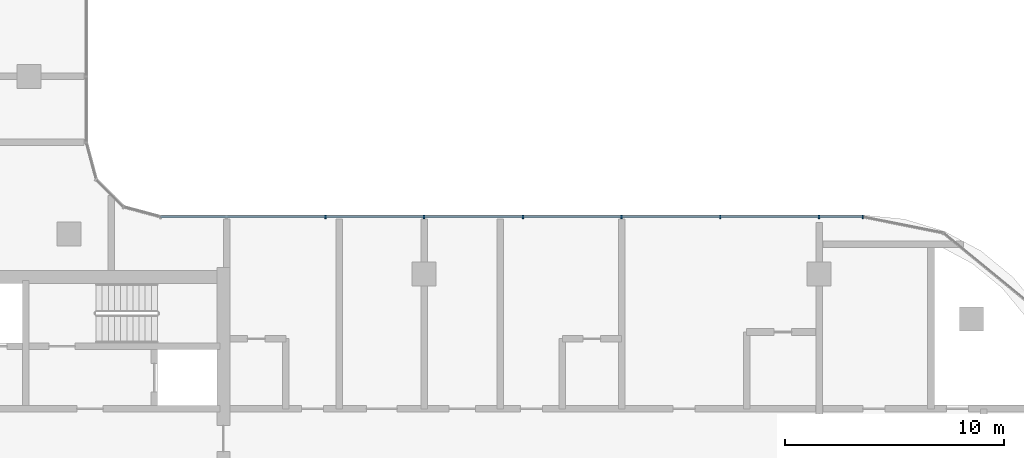
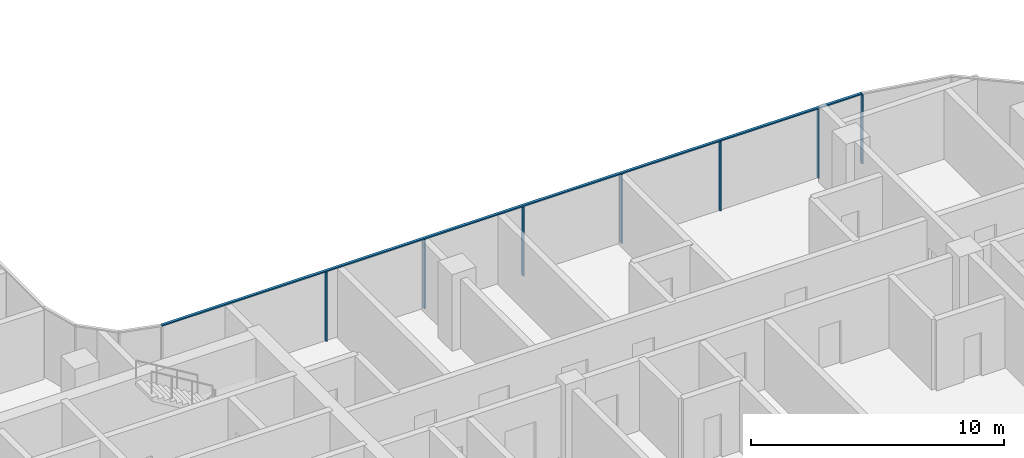
# One storey, part 4 of 23: 8 members, 1 element without a shape of its own.
"""IFC4 building model written with IfcOpenShell, lengths in metres."""

from ifc_helpers import new_model, si_unit, direction, frame, origin, origin_2d, place, context, subcontext, project, spatial, rectangle, extrude, material, material_profile, profile_set, type_object, element, aggregate, save


model = new_model("IFC4")

# Units and contexts
model_context = context("Model", 3, precision=1e-05, world=origin(), true_north=direction((0.0, 1.0)))
body_context = subcontext(model_context, "Body", "Model", "MODEL_VIEW")
ifc_project = project(units=[si_unit("LENGTHUNIT", "METRE"), si_unit("AREAUNIT", "SQUARE_METRE"), si_unit("VOLUMEUNIT", "CUBIC_METRE"), si_unit("PLANEANGLEUNIT", "RADIAN"), si_unit("MASSUNIT", "GRAM", prefix="KILO")], contexts=[model_context])

# Site, building, storey
site_placement = place(None, origin())
site = spatial("IfcSite", under=ifc_project, at=site_placement, CompositionType="ELEMENT")
building_placement = place(site_placement, origin())
building = spatial("IfcBuilding", under=site, at=building_placement, Name="Ogive Portal Towers", CompositionType="ELEMENT")
storey_placement = place(building_placement, frame((0.0, 0.0, 186.60009765625)))
storey = spatial("IfcBuildingStorey", under=building, at=storey_placement, Name="L46", CompositionType="ELEMENT", Elevation=186.60009765625)

# Curtain wall, members
ifc_material_1 = material(Name="Glass, clear low-iron insulated glazing", Category="glass")
curtain_wall_type = type_object("IfcCurtainWallType", Name="CW FRONT RIBBON 4500", PredefinedType="NOTDEFINED", material=ifc_material_1)
curtain_wall_placement = place(storey_placement, origin())
curtain_wall = element("IfcCurtainWall", 1, at=curtain_wall_placement, inside=storey, type_object=curtain_wall_type, Name="A:L46:f16:cw0", PredefinedType="NOTDEFINED")
ifc_material_2 = material(Name="Aluminium 6063 anodised", Category="aluminium")
ifc_material_profile_1 = material_profile(ifc_material_2, rectangle(XDim=0.159912109375, YDim=0.06005859375, at=origin_2d()), Name="AL 60x160")
ifc_profile_set_1 = profile_set([ifc_material_profile_1], Name="Aluminium 6063 anodised")
member_type_1 = type_object("IfcMemberType", Name="CW MULLION 60x160", PredefinedType="MULLION", material=ifc_profile_set_1)
member_1_placement = place(storey_placement, frame((87.4921875, 42.10009765625, 0.0), z_axis=(0.0, 0.0, 1.0), x_axis=(0.0, -1.0, 0.0)))
member_1 = element("IfcMember", 2, at=member_1_placement, type_object=member_type_1, Name="mullion", PredefinedType="MULLION", context=body_context, shape_type="SweptSolid", body=[
    extrude(rectangle(XDim=0.159912109375, YDim=0.06005859375, at=origin_2d()), origin(), (0.0, 0.0, 1.0), 3.33984375),
])
member_2_placement = place(storey_placement, frame((85.5, 42.10009765625, 0.0), z_axis=(0.0, 0.0, 1.0), x_axis=(0.0, -1.0, 0.0)))
member_2 = element("IfcMember", 3, at=member_2_placement, type_object=member_type_1, Name="mullion", PredefinedType="MULLION", context=body_context, shape_type="SweptSolid", body=[
    extrude(rectangle(XDim=0.159912109375, YDim=0.06005859375, at=origin_2d()), origin(), (0.0, 0.0, 1.0), 3.33984375),
])
member_3_placement = place(storey_placement, frame((81.0, 42.10009765625, 0.0), z_axis=(0.0, 0.0, 1.0), x_axis=(0.0, -1.0, 0.0)))
member_3 = element("IfcMember", 4, at=member_3_placement, type_object=member_type_1, Name="mullion", PredefinedType="MULLION", context=body_context, shape_type="SweptSolid", body=[
    extrude(rectangle(XDim=0.159912109375, YDim=0.06005859375, at=origin_2d()), origin(), (0.0, 0.0, 1.0), 3.33984375),
])
member_4_placement = place(storey_placement, frame((76.5, 42.10009765625, 0.0), z_axis=(0.0, 0.0, 1.0), x_axis=(0.0, -1.0, 0.0)))
member_4 = element("IfcMember", 5, at=member_4_placement, type_object=member_type_1, Name="mullion", PredefinedType="MULLION", context=body_context, shape_type="SweptSolid", body=[
    extrude(rectangle(XDim=0.159912109375, YDim=0.06005859375, at=origin_2d()), origin(), (0.0, 0.0, 1.0), 3.33984375),
])
member_5_placement = place(storey_placement, frame((72.0, 42.10009765625, 0.0), z_axis=(0.0, 0.0, 1.0), x_axis=(0.0, -1.0, 0.0)))
member_5 = element("IfcMember", 6, at=member_5_placement, type_object=member_type_1, Name="mullion", PredefinedType="MULLION", context=body_context, shape_type="SweptSolid", body=[
    extrude(rectangle(XDim=0.159912109375, YDim=0.06005859375, at=origin_2d()), origin(), (0.0, 0.0, 1.0), 3.33984375),
])
member_6_placement = place(storey_placement, frame((67.5, 42.10009765625, 0.0), z_axis=(0.0, 0.0, 1.0), x_axis=(0.0, -1.0, 0.0)))
member_6 = element("IfcMember", 7, at=member_6_placement, type_object=member_type_1, Name="mullion", PredefinedType="MULLION", context=body_context, shape_type="SweptSolid", body=[
    extrude(rectangle(XDim=0.159912109375, YDim=0.06005859375, at=origin_2d()), origin(), (0.0, 0.0, 1.0), 3.33984375),
])
member_7_placement = place(storey_placement, frame((63.0, 42.10009765625, 0.0), z_axis=(0.0, 0.0, 1.0), x_axis=(0.0, -1.0, 0.0)))
member_7 = element("IfcMember", 8, at=member_7_placement, type_object=member_type_1, Name="mullion", PredefinedType="MULLION", context=body_context, shape_type="SweptSolid", body=[
    extrude(rectangle(XDim=0.159912109375, YDim=0.06005859375, at=origin_2d()), origin(), (0.0, 0.0, 1.0), 3.33984375),
])
ifc_material_profile_2 = material_profile(ifc_material_2, rectangle(XDim=0.1201171875, YDim=0.06005859375, at=origin_2d()), Name="AL 120x60")
ifc_profile_set_2 = profile_set([ifc_material_profile_2], Name="Aluminium 6063 anodised")
member_type_2 = type_object("IfcMemberType", Name="CW TRANSOM 60x120", PredefinedType="USERDEFINED", material=ifc_profile_set_2)
member_8_placement = place(storey_placement, frame((87.4921875, 42.10009765625, 3.369873046875), z_axis=(-1.0, 0.0, 0.0), x_axis=(0.0, -1.0, 0.0)))
member_8 = element("IfcMember", 9, at=member_8_placement, type_object=member_type_2, Name="transom", ObjectType="TRANSOM", PredefinedType="USERDEFINED", context=body_context, shape_type="SweptSolid", body=[
    extrude(rectangle(XDim=0.1201171875, YDim=0.06005859375, at=origin_2d()), origin(), (0.0, 0.0, 1.0), 32.002685546875),
])
aggregate(curtain_wall, [member_8, member_1, member_2, member_3, member_4, member_5, member_6, member_7])

save(model, "model.ifc")
